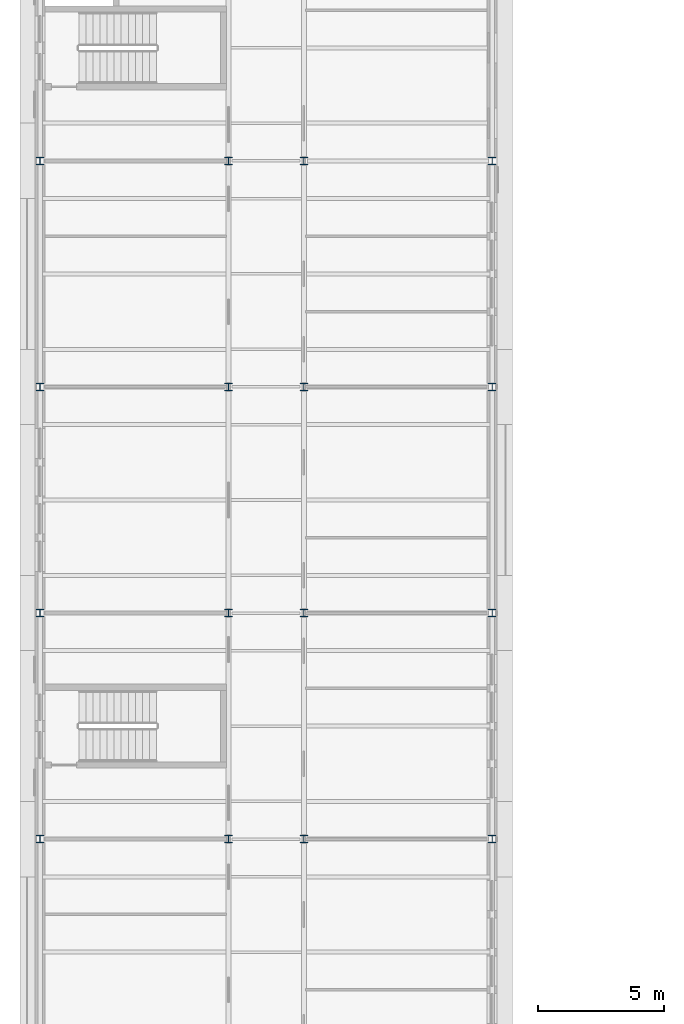
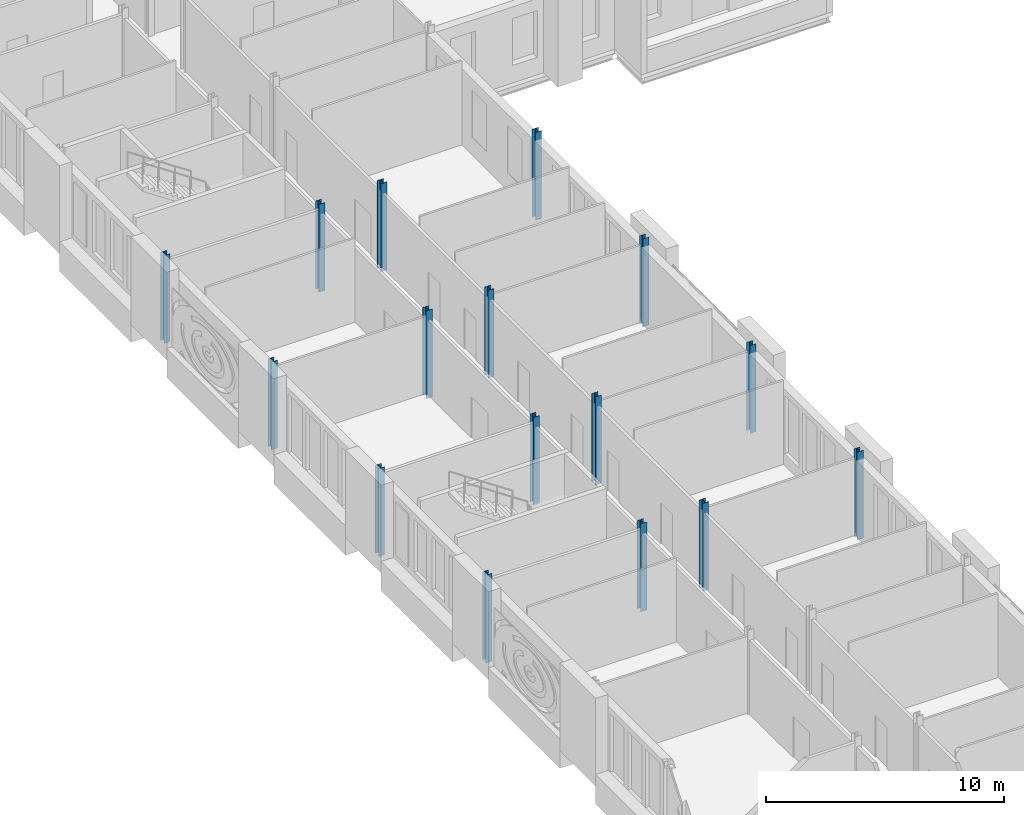
# One storey, part 3 of 131: 16 columns.
"""IFC4 building model written with IfcOpenShell, lengths in metres."""

from ifc_helpers import new_model, si_unit, direction, frame, origin, origin_2d, place, context, subcontext, project, spatial, i_section, extrude, material, material_profile, profile_set, type_object, element, save


model = new_model("IFC4")

# Units and contexts
model_context = context("Model", 3, precision=1e-05, world=origin(), true_north=direction((0.0, 1.0)))
body_context = subcontext(model_context, "Body", "Model", "MODEL_VIEW")
ifc_project = project(units=[si_unit("LENGTHUNIT", "METRE"), si_unit("AREAUNIT", "SQUARE_METRE"), si_unit("VOLUMEUNIT", "CUBIC_METRE"), si_unit("PLANEANGLEUNIT", "RADIAN"), si_unit("MASSUNIT", "GRAM", prefix="KILO")], contexts=[model_context])

# Site, building, storey
site_placement = place(None, origin())
site = spatial("IfcSite", under=ifc_project, at=site_placement, CompositionType="ELEMENT")
building_placement = place(site_placement, origin())
building = spatial("IfcBuilding", under=site, at=building_placement, Name="Golden Quay Civic Hall", CompositionType="ELEMENT")
storey_placement = place(building_placement, frame((0.0, 0.0, 9.89990234375)))
storey = spatial("IfcBuildingStorey", under=building, at=storey_placement, Name="L02", CompositionType="ELEMENT", Elevation=9.89990234375)

# Columns
ifc_material_1 = material(Name="Steel S355", Category="steel")
ifc_material_profile_1 = material_profile(ifc_material_1, i_section(OverallWidth=0.300048828125, OverallDepth=0.2900390625, WebThickness=0.008544921875, FlangeThickness=0.013916015625, FilletRadius=0.027099609375, at=origin_2d()), Name="HEA 300")
ifc_profile_set_1 = profile_set([ifc_material_profile_1], Name="Steel S355")
column_type_1 = type_object("IfcColumnType", Name="Steel column HEA 300", PredefinedType="COLUMN", material=ifc_profile_set_1)
for number, where, z_axis, x_axis, name in (
    (1, (0.0, 27.0, -0.199951171875), (0.0, 0.0, 1.0), (1.0, 0.0, 0.0), "Column 0/27 L02"),
    (2, (0.0, 36.0, -0.199951171875), (0.0, 0.0, 1.0), (1.0, 0.0, 0.0), "Column 0/36 L02"),
    (3, (0.0, 45.0, -0.199951171875), (0.0, 0.0, 1.0), (1.0, 0.0, 0.0), "Column 0/45 L02"),
    (4, (0.0, 54.0, -0.199951171875), (0.0, 0.0, 1.0), (1.0, 0.0, 0.0), "Column 0/54 L02"),
    (5, (18.0, 27.0, -0.199951171875), (0.0, 0.0, 1.0), (1.0, 0.0, 0.0), "Column 18/27 L02"),
    (6, (18.0, 36.0, -0.199951171875), (0.0, 0.0, 1.0), (1.0, 0.0, 0.0), "Column 18/36 L02"),
    (7, (18.0, 45.0, -0.199951171875), (0.0, 0.0, 1.0), (1.0, 0.0, 0.0), "Column 18/45 L02"),
    (8, (18.0, 54.0, -0.199951171875), (0.0, 0.0, 1.0), (1.0, 0.0, 0.0), "Column 18/54 L02"),
):
    element("IfcColumn", number, at=place(storey_placement, frame(where, z_axis=z_axis, x_axis=x_axis)), inside=storey, type_object=column_type_1, Name=name, PredefinedType="COLUMN", context=body_context, shape_type="SweptSolid", body=[
        extrude(i_section(OverallWidth=0.300048828125, OverallDepth=0.2900390625, WebThickness=0.008544921875, FlangeThickness=0.013916015625, FilletRadius=0.027099609375, at=origin_2d()), origin(), (0.0, 0.0, 1.0), 4.5),
    ])
ifc_material_2 = material(Name="Steel S355", Category="steel")
ifc_material_profile_2 = material_profile(ifc_material_2, i_section(OverallWidth=0.300048828125, OverallDepth=0.300048828125, WebThickness=0.010986328125, FlangeThickness=0.01904296875, FilletRadius=0.027099609375, at=origin_2d()), Name="HEB 300")
ifc_profile_set_2 = profile_set([ifc_material_profile_2], Name="Steel S355")
column_type_2 = type_object("IfcColumnType", Name="Steel column HEB 300", PredefinedType="COLUMN", material=ifc_profile_set_2)
for number, where, z_axis, x_axis, name in (
    (9, (7.5, 27.0, -0.199951171875), (0.0, 0.0, 1.0), (1.0, 0.0, 0.0), "Column 7.5/27 L02"),
    (10, (7.5, 36.0, -0.199951171875), (0.0, 0.0, 1.0), (1.0, 0.0, 0.0), "Column 7.5/36 L02"),
    (11, (7.5, 45.0, -0.199951171875), (0.0, 0.0, 1.0), (1.0, 0.0, 0.0), "Column 7.5/45 L02"),
    (12, (7.5, 54.0, -0.199951171875), (0.0, 0.0, 1.0), (1.0, 0.0, 0.0), "Column 7.5/54 L02"),
    (13, (10.5, 27.0, -0.199951171875), (0.0, 0.0, 1.0), (1.0, 0.0, 0.0), "Column 10.5/27 L02"),
    (14, (10.5, 36.0, -0.199951171875), (0.0, 0.0, 1.0), (1.0, 0.0, 0.0), "Column 10.5/36 L02"),
    (15, (10.5, 45.0, -0.199951171875), (0.0, 0.0, 1.0), (1.0, 0.0, 0.0), "Column 10.5/45 L02"),
    (16, (10.5, 54.0, -0.199951171875), (0.0, 0.0, 1.0), (1.0, 0.0, 0.0), "Column 10.5/54 L02"),
):
    element("IfcColumn", number, at=place(storey_placement, frame(where, z_axis=z_axis, x_axis=x_axis)), inside=storey, type_object=column_type_2, Name=name, PredefinedType="COLUMN", context=body_context, shape_type="SweptSolid", body=[
        extrude(i_section(OverallWidth=0.300048828125, OverallDepth=0.300048828125, WebThickness=0.010986328125, FlangeThickness=0.01904296875, FilletRadius=0.027099609375, at=origin_2d()), origin(), (0.0, 0.0, 1.0), 4.5),
    ])

save(model, "model.ifc")
